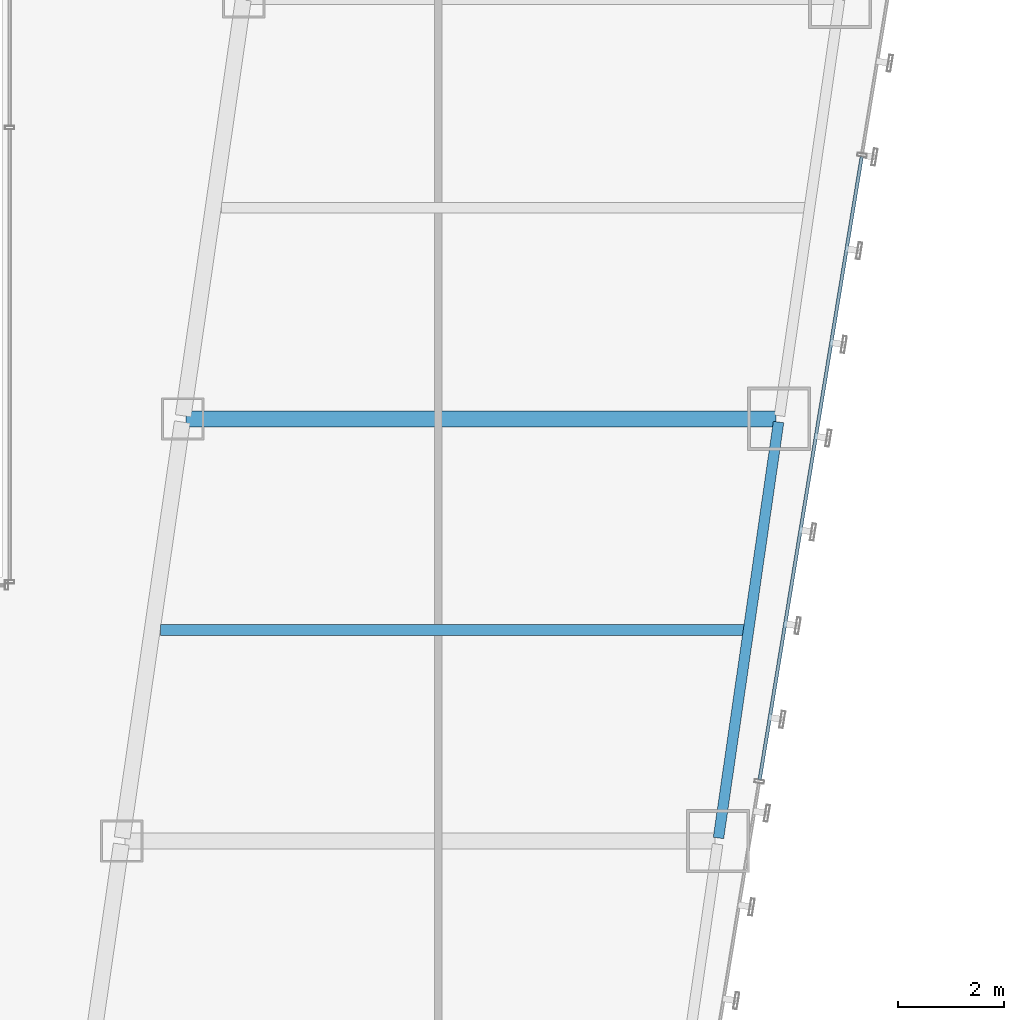
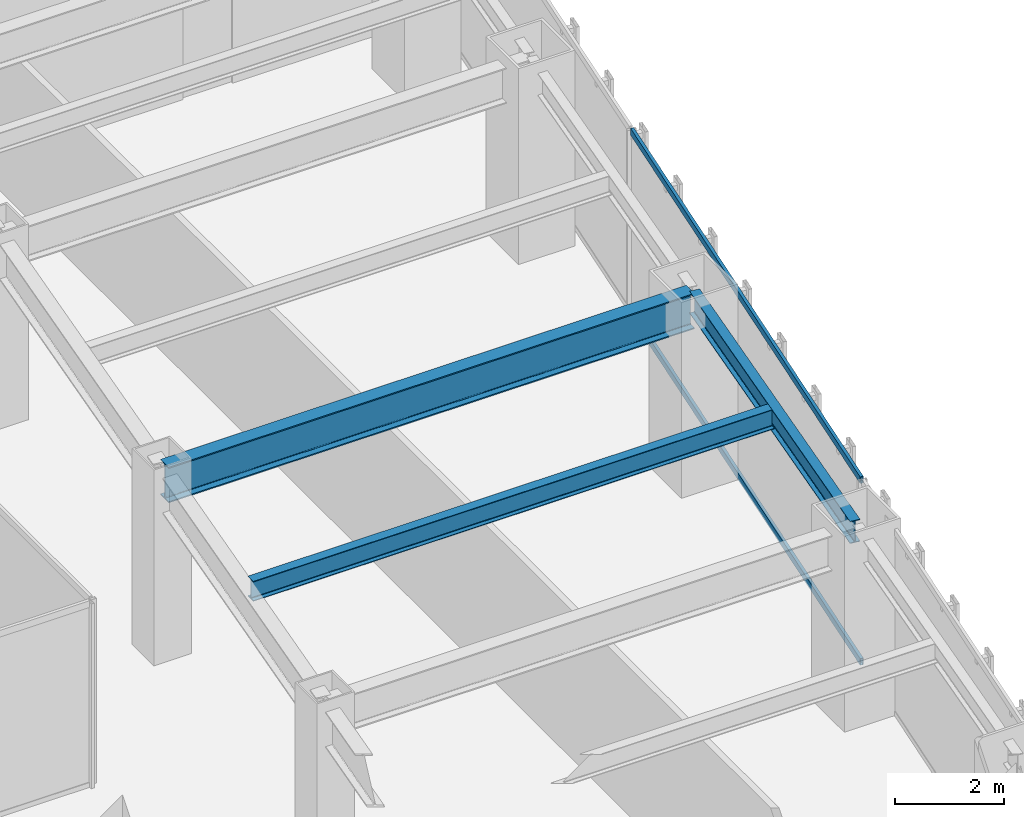
# One storey, part 19 of 47: 3 beams, 2 members, 1 element without a shape of its own.
"""IFC4 building model written with IfcOpenShell, lengths in metres."""

from ifc_helpers import new_model, si_unit, direction, frame, origin, origin_2d, place, context, subcontext, project, spatial, hollow_rectangle, i_section, extrude, material, material_profile, profile_set, type_object, element, aggregate, save


model = new_model("IFC4")

# Units and contexts
model_context = context("Model", 3, precision=1e-05, world=origin(), true_north=direction((0.0, 1.0)))
body_context = subcontext(model_context, "Body", "Model", "MODEL_VIEW")
ifc_project = project(units=[si_unit("LENGTHUNIT", "METRE"), si_unit("AREAUNIT", "SQUARE_METRE"), si_unit("VOLUMEUNIT", "CUBIC_METRE"), si_unit("PLANEANGLEUNIT", "RADIAN"), si_unit("MASSUNIT", "GRAM", prefix="KILO")], contexts=[model_context])

# Site, building, storey
site_placement = place(None, origin())
site = spatial("IfcSite", under=ifc_project, at=site_placement, CompositionType="ELEMENT")
building_placement = place(site_placement, origin())
building = spatial("IfcBuilding", under=site, at=building_placement, Name="Saevonmaru Cultural Tower", CompositionType="ELEMENT")
storey_placement = place(building_placement, frame((0.0, 0.0, 47.199951171875)))
storey = spatial("IfcBuildingStorey", under=building, at=storey_placement, Name="L09", CompositionType="ELEMENT", Elevation=47.199951171875)

# Beams
ifc_material_1 = material(Name="Steel SM420", Category="steel")
ifc_material_profile_1 = material_profile(ifc_material_1, i_section(OverallWidth=0.300048828125, OverallDepth=0.800048828125, WebThickness=0.013916015625, FlangeThickness=0.02587890625, FilletRadius=0.028076171875, at=origin_2d()), Name="H-800x300x14x26")
ifc_profile_set_1 = profile_set([ifc_material_profile_1], Name="Steel SM420")
beam_type_1 = type_object("IfcBeamType", Name="BM-G-H800", PredefinedType="BEAM", material=ifc_profile_set_1)
beam_1_placement = place(storey_placement, frame((39.2880859375, 24.0, 3.75), z_axis=(1.0, 0.0, 0.0), x_axis=(0.0, 1.0, 0.0)))
element("IfcBeam", 1, at=beam_1_placement, inside=storey, type_object=beam_type_1, Name="L09 East Wing Transverse Girder 4", PredefinedType="BEAM", context=body_context, shape_type="SweptSolid", body=[
    extrude(i_section(OverallWidth=0.300048828125, OverallDepth=0.800048828125, WebThickness=0.013916015625, FlangeThickness=0.02587890625, FilletRadius=0.028076171875, at=origin_2d()), origin(), (0.0, 0.0, 1.0), 11.179931640625),
])
ifc_material_2 = material(Name="Steel SM355", Category="steel")
ifc_material_profile_2 = material_profile(ifc_material_2, i_section(OverallWidth=0.199951171875, OverallDepth=0.449951171875, WebThickness=0.009033203125, FlangeThickness=0.013916015625, FilletRadius=0.01806640625, at=origin_2d()), Name="H-450x200x9x14")
ifc_profile_set_2 = profile_set([ifc_material_profile_2], Name="Steel SM355")
beam_type_2 = type_object("IfcBeamType", Name="BM-J-H450", PredefinedType="JOIST", material=ifc_profile_set_2)
beam_2_placement = place(storey_placement, frame((38.80810546875, 20.0, 3.925048828125), z_axis=(1.0, 0.0, 0.0), x_axis=(0.0, 1.0, 0.0)))
element("IfcBeam", 2, at=beam_2_placement, inside=storey, type_object=beam_type_2, Name="L09 East Wing Floor Joist 3", PredefinedType="JOIST", context=body_context, shape_type="SweptSolid", body=[
    extrude(i_section(OverallWidth=0.199951171875, OverallDepth=0.449951171875, WebThickness=0.009033203125, FlangeThickness=0.013916015625, FilletRadius=0.01806640625, at=origin_2d()), origin(), (0.0, 0.0, 1.0), 11.081787109375),
])
ifc_material_profile_3 = material_profile(ifc_material_2, i_section(OverallWidth=0.199951171875, OverallDepth=0.5, WebThickness=0.010009765625, FlangeThickness=0.01611328125, FilletRadius=0.02001953125, at=origin_2d()), Name="H-500x200x10x16")
ifc_profile_set_3 = profile_set([ifc_material_profile_3], Name="Steel SM355")
beam_type_3 = type_object("IfcBeamType", Name="BM-SP-H500", PredefinedType="SPANDREL", material=ifc_profile_set_3)
beam_3_placement = place(storey_placement, frame((49.380615234375, 16.059326171875, 3.900146484375), z_axis=(0.142992129437, 0.989723825579, 0.0), x_axis=(-0.989723825579, 0.142992129437, 0.0)))
element("IfcBeam", 3, at=beam_3_placement, inside=storey, type_object=beam_type_3, Name="L09 East Splayed Spandrel 3", PredefinedType="SPANDREL", context=body_context, shape_type="SweptSolid", body=[
    extrude(i_section(OverallWidth=0.199951171875, OverallDepth=0.5, WebThickness=0.010009765625, FlangeThickness=0.01611328125, FilletRadius=0.02001953125, at=origin_2d()), origin(), (0.0, 0.0, 1.0), 7.963134765625),
])

# Curtain wall, members
ifc_material_3 = material(Name="Satin Bronze Anodised Aluminium", Category="aluminium")
curtain_wall_type = type_object("IfcCurtainWallType", Name="CW-TYP-A", PredefinedType="NOTDEFINED", material=ifc_material_3)
curtain_wall_placement = place(storey_placement, origin())
curtain_wall = element("IfcCurtainWall", 4, at=curtain_wall_placement, inside=storey, type_object=curtain_wall_type, Name="L09 Unitised Curtain Wall E8", PredefinedType="NOTDEFINED")
ifc_material_profile_4 = material_profile(ifc_material_3, hollow_rectangle(XDim=0.06494140625, YDim=0.14990234375, WallThickness=0.00390625, at=origin_2d()), Name="ALU-TRAN-150x65x4")
ifc_profile_set_4 = profile_set([ifc_material_profile_4], Name="Satin Bronze Anodised Aluminium")
member_type = type_object("IfcMemberType", Name="TR-CW-150x65", PredefinedType="USERDEFINED", material=ifc_profile_set_4)
member_1_placement = place(storey_placement, frame((50.16015625, 17.16162109375, 0.032470703125), z_axis=(0.161701400727, 0.986839732177, 0.0), x_axis=(-0.986839732177, 0.161701400727, 0.0)))
member_1 = element("IfcMember", 5, at=member_1_placement, type_object=member_type, Name="CW-TW-L09-E8 transom 2.1", ObjectType="TRANSOM", PredefinedType="USERDEFINED", context=body_context, shape_type="SweptSolid", body=[
    extrude(hollow_rectangle(XDim=0.06494140625, YDim=0.14990234375, WallThickness=0.00390625, at=origin_2d()), origin(), (0.0, 0.0, 1.0), 11.9638671875),
])
member_2_placement = place(storey_placement, frame((50.16015625, 17.16162109375, 4.117431640625), z_axis=(0.161701400727, 0.986839732177, 0.0), x_axis=(-0.986839732177, 0.161701400727, 0.0)))
member_2 = element("IfcMember", 6, at=member_2_placement, type_object=member_type, Name="CW-TW-L09-E8 transom 2.2", ObjectType="TRANSOM", PredefinedType="USERDEFINED", context=body_context, shape_type="SweptSolid", body=[
    extrude(hollow_rectangle(XDim=0.06494140625, YDim=0.14990234375, WallThickness=0.00390625, at=origin_2d()), origin(), (0.0, 0.0, 1.0), 11.9638671875),
])
aggregate(curtain_wall, [member_1, member_2])

save(model, "model.ifc")
